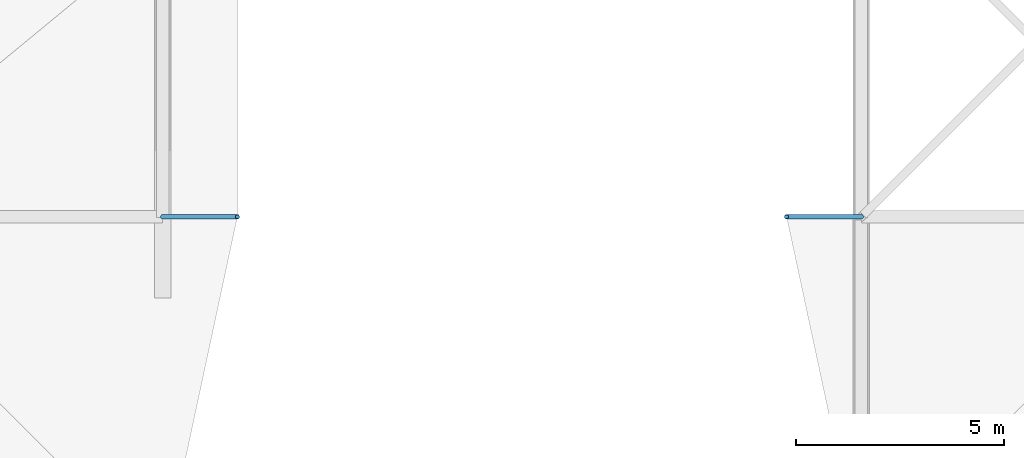
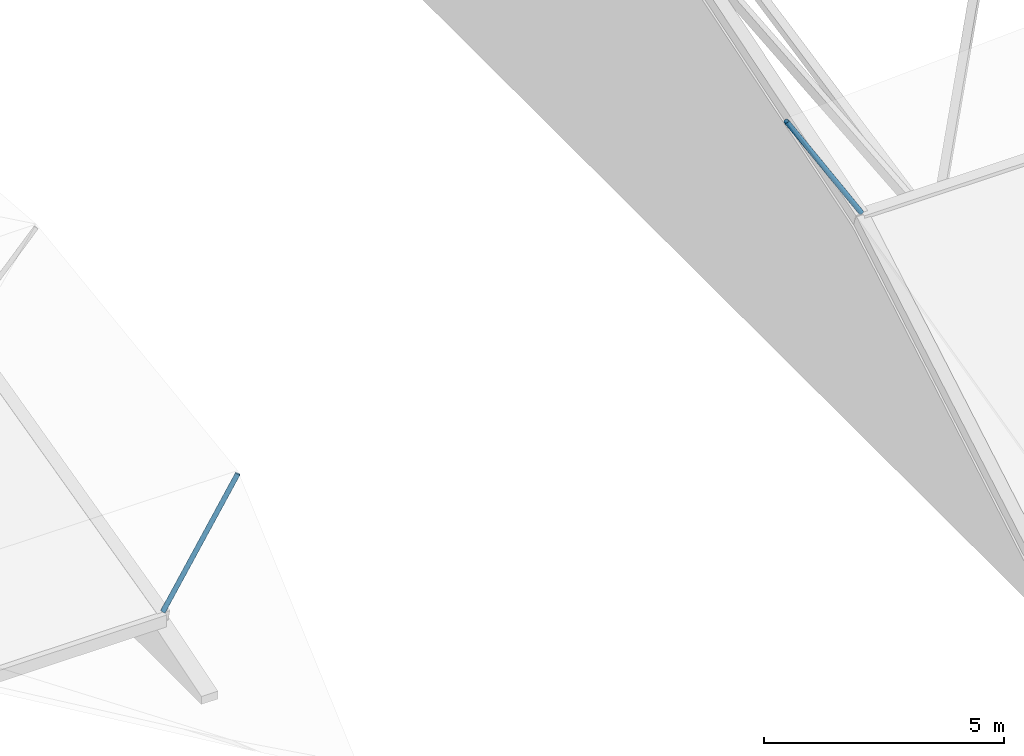
# One storey, part 39 of 111: 2 discrete accessories.
"""IFC4 building model written with IfcOpenShell, lengths in metres."""

from ifc_helpers import new_model, si_unit, direction, frame, origin, origin_2d, place, context, subcontext, project, spatial, hollow_circle, extrude, material, material_profile, profile_set, type_object, element, save


model = new_model("IFC4")

# Units and contexts
model_context = context("Model", 3, precision=1e-05, world=origin(), true_north=direction((0.0, 1.0)))
body_context = subcontext(model_context, "Body", "Model", "MODEL_VIEW")
ifc_project = project(units=[si_unit("LENGTHUNIT", "METRE"), si_unit("AREAUNIT", "SQUARE_METRE"), si_unit("VOLUMEUNIT", "CUBIC_METRE"), si_unit("PLANEANGLEUNIT", "RADIAN"), si_unit("MASSUNIT", "GRAM", prefix="KILO")], contexts=[model_context])

# Site, building, storey
site_placement = place(None, origin())
site = spatial("IfcSite", under=ifc_project, at=site_placement, CompositionType="ELEMENT")
building_placement = place(site_placement, origin())
building = spatial("IfcBuilding", under=site, at=building_placement, Name="Rain Tree Exposition and Congress Centre", CompositionType="ELEMENT")
storey_placement = place(building_placement, frame((0.0, 0.0, 19.5)))
storey = spatial("IfcBuildingStorey", under=building, at=storey_placement, Name="RF", CompositionType="ELEMENT", Elevation=19.5)

# Discrete accessories
ifc_material = material(Name="Steel S355J2H", Category="steel")
ifc_material_profile = material_profile(ifc_material, hollow_circle(Radius=0.05712890625, WallThickness=0.00439453125, at=origin_2d()), Name="CHS 114x4.5")
ifc_profile_set = profile_set([ifc_material_profile], Name="Steel S355J2H")
discrete_accessory_type = type_object("IfcDiscreteAccessoryType", Name="Roof skin post CHS 114x4.5", PredefinedType="BRACKET", material=ifc_profile_set)
discrete_accessory_1_placement = place(storey_placement, frame((126.0, 109.199951171875, 1.11669921875), z_axis=(0.530542150261, 0.0, 0.84765855555), x_axis=(0.0, 1.0, 0.0)))
element("IfcDiscreteAccessory", 1, at=discrete_accessory_1_placement, inside=storey, type_object=discrete_accessory_type, Name="Roof skin post A30", PredefinedType="BRACKET", context=body_context, shape_type="SweptSolid", body=[
    extrude(hollow_circle(Radius=0.05712890625, WallThickness=0.00439453125, at=origin_2d()), origin(), (0.0, 0.0, 1.0), 3.392822265625),
])
discrete_accessory_2_placement = place(storey_placement, frame((142.800048828125, 109.199951171875, 5.39404296875), z_axis=(-0.520975475374, 0.0, 0.853571645534), x_axis=(0.0, -1.0, 0.0)))
element("IfcDiscreteAccessory", 2, at=discrete_accessory_2_placement, inside=storey, type_object=discrete_accessory_type, Name="Roof skin post B14", PredefinedType="BRACKET", context=body_context, shape_type="SweptSolid", body=[
    extrude(hollow_circle(Radius=0.05712890625, WallThickness=0.00439453125, at=origin_2d()), origin(), (0.0, 0.0, 1.0), 3.455078125),
])

save(model, "model.ifc")
